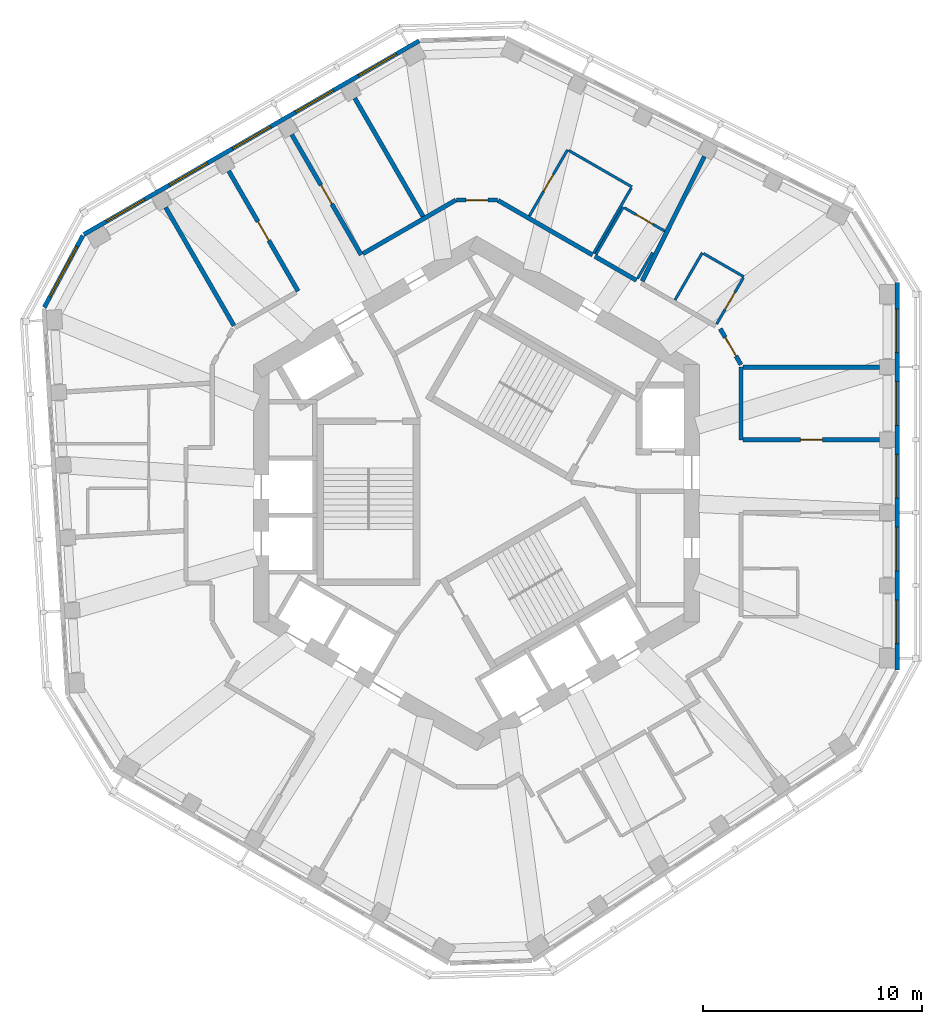
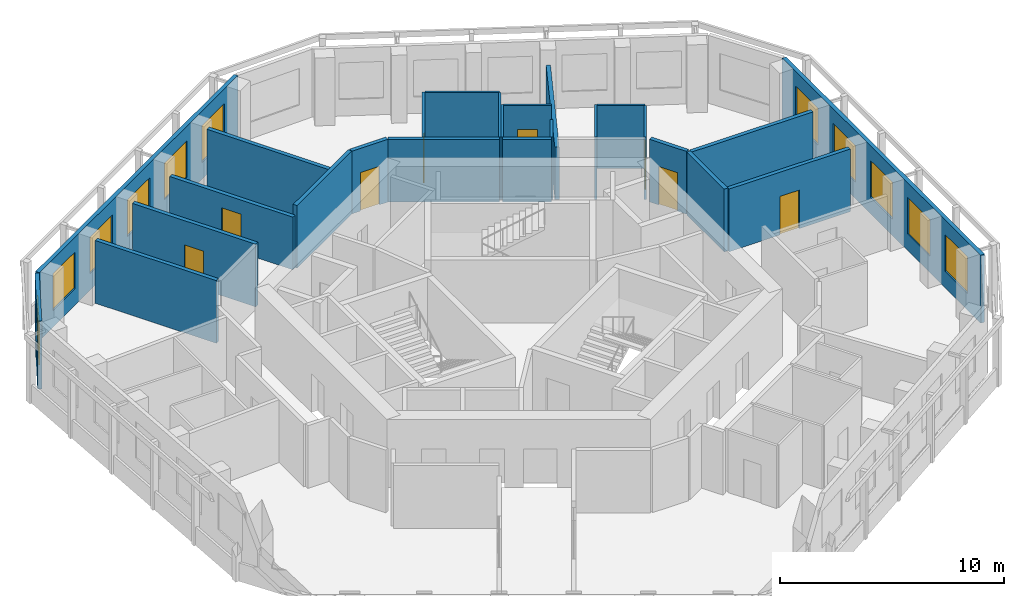
# One storey, part 7 of 11: 25 walls, 11 windows, 8 doors, 19 openings.
"""IFC4 building model written with IfcOpenShell, lengths in metres."""

from ifc_helpers import new_model, si_unit, direction, frame, frame_2d, origin, place, context, subcontext, project, spatial, rectangle, extrude, material, layer, layer_set, type_object, element, fill, save


model = new_model("IFC4")

# Units and contexts
model_context = context("Model", 3, precision=1e-05, world=origin(), true_north=direction((0.0, 1.0)))
body_context = subcontext(model_context, "Body", "Model", "MODEL_VIEW")
ifc_project = project(units=[si_unit("LENGTHUNIT", "METRE"), si_unit("AREAUNIT", "SQUARE_METRE"), si_unit("VOLUMEUNIT", "CUBIC_METRE"), si_unit("PLANEANGLEUNIT", "RADIAN"), si_unit("MASSUNIT", "GRAM", prefix="KILO")], contexts=[model_context])

# Site, building, storey
site_placement = place(None, origin())
site = spatial("IfcSite", under=ifc_project, at=site_placement, CompositionType="ELEMENT")
building_placement = place(site_placement, origin())
building = spatial("IfcBuilding", under=site, at=building_placement, Name="Vanh Sen Convention Tower", CompositionType="ELEMENT")
storey_placement = place(building_placement, frame((0.0, 0.0, 293.10009765625)))
storey = spatial("IfcBuildingStorey", under=building, at=storey_placement, Name="L72", CompositionType="ELEMENT", Elevation=293.10009765625)

# Wall, opening, door
ifc_material_1 = material(Name="Moisture-resistant gypsum board on steel studs", Category="steel")
ifc_layer_1 = layer(ifc_material_1, 0.1201171875)
ifc_layer_set_1 = layer_set([ifc_layer_1], Name="Moisture-resistant gypsum board on steel studs")
wall_type_1 = type_object("IfcWallType", Name="Bathroom partition 120", PredefinedType="PARTITIONING", material=ifc_layer_set_1)
wall_1_placement = place(storey_placement, frame((2.4130859375, 12.694091796875, 0.0), z_axis=(0.0, 0.0, 1.0), x_axis=(0.500010275428, 0.866019471182, 0.0)))
wall_1 = element("IfcWall", 1, at=wall_1_placement, inside=storey, type_object=wall_type_1, Name="Bathroom partition 120", PredefinedType="PARTITIONING", context=body_context, shape_type="SweptSolid", body=[
    extrude(rectangle(XDim=3.5, YDim=0.1201171875, at=frame_2d((1.75, 0.0))), origin(), (0.0, 0.0, 1.0), 3.419921875),
])
opening_1_placement = place(wall_1_placement, frame((1.300048828125, 0.0, 0.0)))
opening_1 = element("IfcOpeningElement", 2, at=opening_1_placement, cuts=wall_1, Name="Opening D72106", PredefinedType="OPENING", context=body_context, shape_type="SweptSolid", body=[
    extrude(rectangle(XDim=0.89990234375, YDim=2.10009765625, at=frame_2d((0.449951171875, 1.050048828125))), frame((0.0, 0.070068359375, 0.0), z_axis=(0.0, -1.0, 0.0), x_axis=(1.0, 0.0, 0.0)), (0.0, 0.0, 1.0), 0.14013671875),
])
ifc_material_2 = material(Name="Laminate door in steel frame", Category="steel")
door_type_1 = type_object("IfcDoorType", Name="Room internal door 900", OperationType="SINGLE_SWING_LEFT", PredefinedType="DOOR", material=ifc_material_2)
door_1_placement = place(opening_1_placement, origin())
door_1 = element("IfcDoor", 3, at=door_1_placement, inside=storey, type_object=door_type_1, Name="Internal room door D72106", OperationType="SINGLE_SWING_LEFT", OverallHeight=2.10009765625, OverallWidth=0.89990234375, PredefinedType="DOOR", context=body_context, shape_type="SweptSolid", body=[
    extrude(rectangle(XDim=0.89990234375, YDim=2.10009765625, at=frame_2d((0.449951171875, 1.050048828125))), frame((0.0, 0.02490234375, 0.0), z_axis=(0.0, -1.0, 0.0), x_axis=(1.0, 0.0, 0.0)), (0.0, 0.0, 1.0), 0.050048828125),
])
fill(opening_1, door_1)

# Walls
wall_2_placement = place(storey_placement, frame((4.215087890625, 15.6953125, 0.0), z_axis=(0.0, 0.0, 1.0), x_axis=(0.865989591418, -0.50006202371, 0.0)))
element("IfcWall", 4, at=wall_2_placement, inside=storey, type_object=wall_type_1, Name="Bathroom partition 120", PredefinedType="PARTITIONING", context=body_context, shape_type="SweptSolid", body=[
    extrude(rectangle(XDim=3.33984375, YDim=0.1201171875, at=frame_2d((1.669921875, 0.0))), origin(), (0.0, 0.0, 1.0), 3.419921875),
])
wall_3_placement = place(storey_placement, frame((5.46142578125, 10.93408203125, 0.0), z_axis=(0.0, 0.0, 1.0), x_axis=(0.500004234368, 0.866022959057, 0.0)))
element("IfcWall", 5, at=wall_3_placement, inside=storey, type_object=wall_type_1, Name="Bathroom partition 120", PredefinedType="PARTITIONING", context=body_context, shape_type="SweptSolid", body=[
    extrude(rectangle(XDim=2.5, YDim=0.1201171875, at=frame_2d((1.25, 0.0))), origin(), (0.0, 0.0, 1.0), 3.419921875),
])

# Wall, opening, door
wall_4_placement = place(storey_placement, frame((6.763427734375, 13.069091796875, 0.0), z_axis=(0.0, 0.0, 1.0), x_axis=(0.866019511163, -0.500010206181, 0.0)))
wall_4 = element("IfcWall", 6, at=wall_4_placement, inside=storey, type_object=wall_type_1, Name="Bathroom partition 120", PredefinedType="PARTITIONING", context=body_context, shape_type="SweptSolid", body=[
    extrude(rectangle(XDim=2.1298828125, YDim=0.1201171875, at=frame_2d((1.06494140625, 0.0))), origin(), (0.0, 0.0, 1.0), 3.419921875),
])
opening_2_placement = place(wall_4_placement, frame((0.614990234375, 0.0, 0.0)))
opening_2 = element("IfcOpeningElement", 7, at=opening_2_placement, cuts=wall_4, Name="Opening D72105", PredefinedType="OPENING", context=body_context, shape_type="SweptSolid", body=[
    extrude(rectangle(XDim=0.89990234375, YDim=2.10009765625, at=frame_2d((0.449951171875, 1.050048828125))), frame((0.0, 0.070068359375, 0.0), z_axis=(0.0, -1.0, 0.0), x_axis=(1.0, 0.0, 0.0)), (0.0, 0.0, 1.0), 0.14013671875),
])
door_2_placement = place(opening_2_placement, origin())
door_2 = element("IfcDoor", 8, at=door_2_placement, inside=storey, type_object=door_type_1, Name="Internal room door D72105", OperationType="SINGLE_SWING_LEFT", OverallHeight=2.10009765625, OverallWidth=0.89990234375, PredefinedType="DOOR", context=body_context, shape_type="SweptSolid", body=[
    extrude(rectangle(XDim=0.89990234375, YDim=2.10009765625, at=frame_2d((0.449951171875, 1.050048828125))), frame((0.0, 0.02490234375, 0.0), z_axis=(0.0, -1.0, 0.0), x_axis=(1.0, 0.0, 0.0)), (0.0, 0.0, 1.0), 0.050048828125),
])
fill(opening_2, door_2)

# Walls
wall_5_placement = place(storey_placement, frame((7.077392578125, 13.97314453125, 0.0), z_axis=(0.0, 0.0, 1.0), x_axis=(-0.499955923987, -0.866050849587, 0.0)))
element("IfcWall", 9, at=wall_5_placement, inside=storey, type_object=wall_type_1, Name="Bathroom partition 120", PredefinedType="PARTITIONING", context=body_context, shape_type="SweptSolid", body=[
    extrude(rectangle(XDim=3.439697265625, YDim=0.1201171875, at=frame_2d((1.7197265625, 0.0))), origin(), (0.0, 0.0, 1.0), 3.419921875),
])
wall_6_placement = place(storey_placement, frame((8.05078125, 11.018798828125, 0.0), z_axis=(0.0, 0.0, 1.0), x_axis=(-0.500093228334, -0.86597157169, 0.0)))
element("IfcWall", 10, at=wall_6_placement, inside=storey, type_object=wall_type_1, Name="Bathroom partition 120", PredefinedType="PARTITIONING", context=body_context, shape_type="SweptSolid", body=[
    extrude(rectangle(XDim=1.367919921875, YDim=0.1201171875, at=frame_2d((0.68408203125, 0.0))), origin(), (0.0, 0.0, 1.0), 3.419921875),
])
wall_7_placement = place(storey_placement, frame((9.078125, 8.845947265625, 0.0), z_axis=(0.0, 0.0, 1.0), x_axis=(0.500004234368, 0.866022959057, 0.0)))
element("IfcWall", 11, at=wall_7_placement, inside=storey, type_object=wall_type_1, Name="Bathroom partition 120", PredefinedType="PARTITIONING", context=body_context, shape_type="SweptSolid", body=[
    extrude(rectangle(XDim=2.5, YDim=0.1201171875, at=frame_2d((1.25, 0.0))), origin(), (0.0, 0.0, 1.0), 3.419921875),
])
wall_8_placement = place(storey_placement, frame((10.380126953125, 10.981201171875, 0.0), z_axis=(0.0, 0.0, 1.0), x_axis=(0.86600889856, -0.500028586798, 0.0)))
element("IfcWall", 12, at=wall_8_placement, inside=storey, type_object=wall_type_1, Name="Bathroom partition 120", PredefinedType="PARTITIONING", context=body_context, shape_type="SweptSolid", body=[
    extrude(rectangle(XDim=2.139892578125, YDim=0.1201171875, at=frame_2d((1.06982421875, 0.0))), origin(), (0.0, 0.0, 1.0), 3.419921875),
])

# Wall, opening, door
wall_9_placement = place(storey_placement, frame((12.20361328125, 9.859130859375, 0.0), z_axis=(0.0, 0.0, 1.0), x_axis=(-0.500077547548, -0.865980627057, 0.0)))
wall_9 = element("IfcWall", 13, at=wall_9_placement, inside=storey, type_object=wall_type_1, Name="Bathroom partition 120", PredefinedType="PARTITIONING", context=body_context, shape_type="SweptSolid", body=[
    extrude(rectangle(XDim=2.43994140625, YDim=0.1201171875, at=frame_2d((1.219970703125, 0.0))), origin(), (0.0, 0.0, 1.0), 3.419921875),
])
opening_3_placement = place(wall_9_placement, frame((0.77001953125, 0.0, 0.0)))
opening_3 = element("IfcOpeningElement", 14, at=opening_3_placement, cuts=wall_9, Name="Opening D72103", PredefinedType="OPENING", context=body_context, shape_type="SweptSolid", body=[
    extrude(rectangle(XDim=0.89990234375, YDim=2.10009765625, at=frame_2d((0.449951171875, 1.050048828125))), frame((0.0, 0.070068359375, 0.0), z_axis=(0.0, -1.0, 0.0), x_axis=(1.0, 0.0, 0.0)), (0.0, 0.0, 1.0), 0.14013671875),
])
door_3_placement = place(opening_3_placement, origin())
door_3 = element("IfcDoor", 15, at=door_3_placement, inside=storey, type_object=door_type_1, Name="Internal room door D72103", OperationType="SINGLE_SWING_LEFT", OverallHeight=2.10009765625, OverallWidth=0.89990234375, PredefinedType="DOOR", context=body_context, shape_type="SweptSolid", body=[
    extrude(rectangle(XDim=0.89990234375, YDim=2.10009765625, at=frame_2d((0.449951171875, 1.050048828125))), frame((0.0, 0.02490234375, 0.0), z_axis=(0.0, -1.0, 0.0), x_axis=(1.0, 0.0, 0.0)), (0.0, 0.0, 1.0), 0.050048828125),
])
fill(opening_3, door_3)

ifc_material_3 = material(Name="Gypsum board on steel studs with mineral wool", Category="steel")
ifc_layer_2 = layer(ifc_material_3, 0.199951171875)
ifc_layer_set_2 = layer_set([ifc_layer_2], Name="Gypsum board on steel studs with mineral wool")
wall_type_2 = type_object("IfcWallType", Name="Corridor partition wall 200", PredefinedType="PARTITIONING", material=ifc_layer_set_2)
wall_10_placement = place(storey_placement, frame((-11.34521484375, 14.754150390625, 0.0), z_axis=(0.0, 0.0, 1.0), x_axis=(0.500005339912, -0.866022320763, 0.0)))
wall_10 = element("IfcWall", 16, at=wall_10_placement, inside=storey, type_object=wall_type_2, Name="Corridor partition wall 200", PredefinedType="PARTITIONING", context=body_context, shape_type="SweptSolid", body=[
    extrude(rectangle(XDim=6.35009765625, YDim=0.199951171875, at=frame_2d((3.175048828125, 0.0))), origin(), (0.0, 0.0, 1.0), 3.419921875),
])
opening_4_placement = place(wall_10_placement, frame((2.675048828125, 0.0, 0.0)))
opening_4 = element("IfcOpeningElement", 17, at=opening_4_placement, cuts=wall_10, Name="Opening D72108", PredefinedType="OPENING", context=body_context, shape_type="SweptSolid", body=[
    extrude(rectangle(XDim=1.0, YDim=2.10009765625, at=frame_2d((0.5, 1.050048828125))), frame((0.0, 0.10986328125, 0.0), z_axis=(0.0, -1.0, 0.0), x_axis=(1.0, 0.0, 0.0)), (0.0, 0.0, 1.0), 0.219970703125),
])
ifc_material_4 = material(Name="Glazed fire door in steel frame", Category="steel")
door_type_2 = type_object("IfcDoorType", Name="Tenant entrance door 1000", OperationType="SINGLE_SWING_LEFT", PredefinedType="DOOR", material=ifc_material_4)
door_4_placement = place(opening_4_placement, origin())
door_4 = element("IfcDoor", 18, at=door_4_placement, inside=storey, type_object=door_type_2, Name="Tenant suite entrance door D72108", OperationType="SINGLE_SWING_LEFT", OverallHeight=2.10009765625, OverallWidth=1.0, PredefinedType="DOOR", context=body_context, shape_type="SweptSolid", body=[
    extrude(rectangle(XDim=1.0, YDim=2.10009765625, at=frame_2d((0.5, 1.050048828125))), frame((0.0, 0.02490234375, 0.0), z_axis=(0.0, -1.0, 0.0), x_axis=(1.0, 0.0, 0.0)), (0.0, 0.0, 1.0), 0.050048828125),
])
fill(opening_4, door_4)

wall_11_placement = place(storey_placement, frame((-8.4599609375, 16.419921875, 0.0), z_axis=(0.0, 0.0, 1.0), x_axis=(0.500005339912, -0.866022320763, 0.0)))
wall_11 = element("IfcWall", 19, at=wall_11_placement, inside=storey, type_object=wall_type_2, Name="Corridor partition wall 200", PredefinedType="PARTITIONING", context=body_context, shape_type="SweptSolid", body=[
    extrude(rectangle(XDim=6.35009765625, YDim=0.199951171875, at=frame_2d((3.175048828125, 0.0))), origin(), (0.0, 0.0, 1.0), 2.869873046875),
])
opening_5_placement = place(wall_11_placement, frame((2.675048828125, 0.0, 0.0)))
opening_5 = element("IfcOpeningElement", 20, at=opening_5_placement, cuts=wall_11, Name="Opening D72107", PredefinedType="OPENING", context=body_context, shape_type="SweptSolid", body=[
    extrude(rectangle(XDim=1.0, YDim=2.10009765625, at=frame_2d((0.5, 1.050048828125))), frame((0.0, 0.10986328125, 0.0), z_axis=(0.0, -1.0, 0.0), x_axis=(1.0, 0.0, 0.0)), (0.0, 0.0, 1.0), 0.219970703125),
])
door_5_placement = place(opening_5_placement, origin())
door_5 = element("IfcDoor", 21, at=door_5_placement, inside=storey, type_object=door_type_2, Name="Tenant suite entrance door D72107", OperationType="SINGLE_SWING_LEFT", OverallHeight=2.10009765625, OverallWidth=1.0, PredefinedType="DOOR", context=body_context, shape_type="SweptSolid", body=[
    extrude(rectangle(XDim=1.0, YDim=2.10009765625, at=frame_2d((0.5, 1.050048828125))), frame((0.0, 0.02490234375, 0.0), z_axis=(0.0, -1.0, 0.0), x_axis=(1.0, 0.0, 0.0)), (0.0, 0.0, 1.0), 0.050048828125),
])
fill(opening_5, door_5)

# Wall
wall_12_placement = place(storey_placement, frame((-0.949951171875, 13.42333984375, 0.0), z_axis=(0.0, 0.0, 1.0), x_axis=(-0.86603557629, -0.499982380289, 0.0)))
element("IfcWall", 22, at=wall_12_placement, inside=storey, type_object=wall_type_2, Name="Corridor partition wall 200", PredefinedType="PARTITIONING", context=body_context, shape_type="SweptSolid", body=[
    extrude(rectangle(XDim=4.905517578125, YDim=0.199951171875, at=frame_2d((2.45263671875, 0.0))), origin(), (0.0, 0.0, 1.0), 3.419921875),
])

# Wall, opening, door
wall_13_placement = place(storey_placement, frame((0.949951171875, 13.42333984375, 0.0), z_axis=(0.0, 0.0, 1.0), x_axis=(-1.0, 0.0, 0.0)))
wall_13 = element("IfcWall", 23, at=wall_13_placement, inside=storey, type_object=wall_type_2, Name="Corridor partition wall 200", PredefinedType="PARTITIONING", context=body_context, shape_type="SweptSolid", body=[
    extrude(rectangle(XDim=1.85986328125, YDim=0.199951171875, at=frame_2d((0.929931640625, 0.0))), origin(), (0.0, 0.0, 1.0), 3.419921875),
])
opening_6_placement = place(wall_13_placement, frame((0.429931640625, 0.0, 0.0)))
opening_6 = element("IfcOpeningElement", 24, at=opening_6_placement, cuts=wall_13, Name="Opening D72104", PredefinedType="OPENING", context=body_context, shape_type="SweptSolid", body=[
    extrude(rectangle(XDim=1.0, YDim=2.10009765625, at=frame_2d((0.5, 1.050048828125))), frame((0.0, 0.10986328125, 0.0), z_axis=(0.0, -1.0, 0.0), x_axis=(1.0, 0.0, 0.0)), (0.0, 0.0, 1.0), 0.219970703125),
])
door_6_placement = place(opening_6_placement, origin())
door_6 = element("IfcDoor", 25, at=door_6_placement, inside=storey, type_object=door_type_2, Name="Tenant suite entrance door D72104", OperationType="SINGLE_SWING_LEFT", OverallHeight=2.10009765625, OverallWidth=1.0, PredefinedType="DOOR", context=body_context, shape_type="SweptSolid", body=[
    extrude(rectangle(XDim=1.0, YDim=2.10009765625, at=frame_2d((0.5, 1.050048828125))), frame((0.0, 0.02490234375, 0.0), z_axis=(0.0, -1.0, 0.0), x_axis=(1.0, 0.0, 0.0)), (0.0, 0.0, 1.0), 0.050048828125),
])
fill(opening_6, door_6)

# Walls
wall_14_placement = place(storey_placement, frame((5.3076171875, 10.907470703125, 0.0), z_axis=(0.0, 0.0, 1.0), x_axis=(-0.866028394472, 0.499994819941, 0.0)))
element("IfcWall", 26, at=wall_14_placement, inside=storey, type_object=wall_type_2, Name="Corridor partition wall 200", PredefinedType="PARTITIONING", context=body_context, shape_type="SweptSolid", body=[
    extrude(rectangle(XDim=4.99169921875, YDim=0.199951171875, at=frame_2d((2.495849609375, 0.0))), origin(), (0.0, 0.0, 1.0), 3.419921875),
])
wall_15_placement = place(storey_placement, frame((7.316650390625, 9.74755859375, 0.0), z_axis=(0.0, 0.0, 1.0), x_axis=(-0.866028486751, 0.499994660107, 0.0)))
element("IfcWall", 27, at=wall_15_placement, inside=storey, type_object=wall_type_2, Name="Corridor partition wall 200", PredefinedType="PARTITIONING", context=body_context, shape_type="SweptSolid", body=[
    extrude(rectangle(XDim=2.19970703125, YDim=0.199951171875, at=frame_2d((1.099853515625, 0.0))), origin(), (0.0, 0.0, 1.0), 3.419921875),
])
wall_16_placement = place(storey_placement, frame((12.10009765625, 2.4482421875, 0.0), z_axis=(0.0, 0.0, 1.0), x_axis=(0.0, 1.0, 0.0)))
element("IfcWall", 28, at=wall_16_placement, inside=storey, type_object=wall_type_2, Name="Corridor partition wall 200", PredefinedType="PARTITIONING", context=body_context, shape_type="SweptSolid", body=[
    extrude(rectangle(XDim=3.33154296875, YDim=0.199951171875, at=frame_2d((1.665771484375, 0.0))), origin(), (0.0, 0.0, 1.0), 3.419921875),
])

# Wall, opening, door
wall_17_placement = place(storey_placement, frame((12.10009765625, 5.888916015625, 0.0), z_axis=(0.0, 0.0, 1.0), x_axis=(-0.500063520245, 0.865988727248, 0.0)))
wall_17 = element("IfcWall", 29, at=wall_17_placement, inside=storey, type_object=wall_type_2, Name="Corridor partition wall 200", PredefinedType="PARTITIONING", context=body_context, shape_type="SweptSolid", body=[
    extrude(rectangle(XDim=1.900146484375, YDim=0.199951171875, at=frame_2d((0.9501953125, 0.0))), origin(), (0.0, 0.0, 1.0), 3.419921875),
])
opening_7_placement = place(wall_17_placement, frame((0.449951171875, 0.0, 0.0)))
opening_7 = element("IfcOpeningElement", 30, at=opening_7_placement, cuts=wall_17, Name="Opening D72102", PredefinedType="OPENING", context=body_context, shape_type="SweptSolid", body=[
    extrude(rectangle(XDim=1.0, YDim=2.10009765625, at=frame_2d((0.5, 1.050048828125))), frame((0.0, 0.10986328125, 0.0), z_axis=(0.0, -1.0, 0.0), x_axis=(1.0, 0.0, 0.0)), (0.0, 0.0, 1.0), 0.219970703125),
])
door_7_placement = place(opening_7_placement, origin())
door_7 = element("IfcDoor", 31, at=door_7_placement, inside=storey, type_object=door_type_2, Name="Tenant suite entrance door D72102", OperationType="SINGLE_SWING_LEFT", OverallHeight=2.10009765625, OverallWidth=1.0, PredefinedType="DOOR", context=body_context, shape_type="SweptSolid", body=[
    extrude(rectangle(XDim=1.0, YDim=2.10009765625, at=frame_2d((0.5, 1.050048828125))), frame((0.0, 0.02490234375, 0.0), z_axis=(0.0, -1.0, 0.0), x_axis=(1.0, 0.0, 0.0)), (0.0, 0.0, 1.0), 0.050048828125),
])
fill(opening_7, door_7)

wall_18_placement = place(storey_placement, frame((18.449951171875, 2.4482421875, 0.0), z_axis=(0.0, 0.0, 1.0), x_axis=(-1.0, 0.0, 0.0)))
wall_18 = element("IfcWall", 32, at=wall_18_placement, inside=storey, type_object=wall_type_2, Name="Corridor partition wall 200", PredefinedType="PARTITIONING", context=body_context, shape_type="SweptSolid", body=[
    extrude(rectangle(XDim=6.25, YDim=0.199951171875, at=frame_2d((3.125, 0.0))), origin(), (0.0, 0.0, 1.0), 3.419921875),
])
opening_8_placement = place(wall_18_placement, frame((2.625, 0.0, 0.0)))
opening_8 = element("IfcOpeningElement", 33, at=opening_8_placement, cuts=wall_18, Name="Opening D72101", PredefinedType="OPENING", context=body_context, shape_type="SweptSolid", body=[
    extrude(rectangle(XDim=1.0, YDim=2.10009765625, at=frame_2d((0.5, 1.050048828125))), frame((0.0, 0.10986328125, 0.0), z_axis=(0.0, -1.0, 0.0), x_axis=(1.0, 0.0, 0.0)), (0.0, 0.0, 1.0), 0.219970703125),
])
door_8_placement = place(opening_8_placement, origin())
door_8 = element("IfcDoor", 34, at=door_8_placement, inside=storey, type_object=door_type_2, Name="Tenant suite entrance door D72101", OperationType="SINGLE_SWING_LEFT", OverallHeight=2.10009765625, OverallWidth=1.0, PredefinedType="DOOR", context=body_context, shape_type="SweptSolid", body=[
    extrude(rectangle(XDim=1.0, YDim=2.10009765625, at=frame_2d((0.5, 1.050048828125))), frame((0.0, 0.02490234375, 0.0), z_axis=(0.0, -1.0, 0.0), x_axis=(1.0, 0.0, 0.0)), (0.0, 0.0, 1.0), 0.050048828125),
])
fill(opening_8, door_8)

# Wall, openings, windows
ifc_material_5 = material(Name="Insulated lightweight infill wall")
ifc_layer_3 = layer(ifc_material_5, 0.199951171875)
ifc_layer_set_3 = layer_set([ifc_layer_3], Name="Insulated lightweight infill wall")
wall_type_3 = type_object("IfcWallType", Name="External wall 200", PredefinedType="STANDARD", material=ifc_layer_set_3)
wall_19_placement = place(storey_placement, frame((19.25, -8.083984375, 0.0), z_axis=(0.0, 0.0, 1.0), x_axis=(0.0, 1.0, 0.0)))
wall_19 = element("IfcWall", 35, at=wall_19_placement, inside=storey, type_object=wall_type_3, Name="External wall E L72", PredefinedType="STANDARD", context=body_context, shape_type="SweptSolid", body=[
    extrude(rectangle(XDim=17.731201171875, YDim=0.199951171875, at=frame_2d((8.86572265625, 0.0))), origin(), (0.0, 0.0, 1.0), 3.699951171875),
])
opening_9_placement = place(wall_19_placement, frame((1.203125, 0.0, 0.89990234375)))
opening_9 = element("IfcOpeningElement", 36, at=opening_9_placement, cuts=wall_19, Name="Opening WO5-E1", PredefinedType="OPENING", context=body_context, shape_type="SweptSolid", body=[
    extrude(rectangle(XDim=2.0, YDim=2.0, at=frame_2d((1.0, 1.0))), frame((0.0, 0.10986328125, 0.0), z_axis=(0.0, -1.0, 0.0), x_axis=(1.0, 0.0, 0.0)), (0.0, 0.0, 1.0), 0.219970703125),
])
opening_10_placement = place(wall_19_placement, frame((4.534912109375, 0.0, 0.89990234375)))
opening_10 = element("IfcOpeningElement", 37, at=opening_10_placement, cuts=wall_19, Name="Opening WO5-E2", PredefinedType="OPENING", context=body_context, shape_type="SweptSolid", body=[
    extrude(rectangle(XDim=2.0, YDim=2.0, at=frame_2d((1.0, 1.0))), frame((0.0, 0.10986328125, 0.0), z_axis=(0.0, -1.0, 0.0), x_axis=(1.0, 0.0, 0.0)), (0.0, 0.0, 1.0), 0.219970703125),
])
opening_11_placement = place(wall_19_placement, frame((7.866455078125, 0.0, 0.89990234375)))
opening_11 = element("IfcOpeningElement", 38, at=opening_11_placement, cuts=wall_19, Name="Opening WO5-E3", PredefinedType="OPENING", context=body_context, shape_type="SweptSolid", body=[
    extrude(rectangle(XDim=2.0, YDim=2.0, at=frame_2d((1.0, 1.0))), frame((0.0, 0.10986328125, 0.0), z_axis=(0.0, -1.0, 0.0), x_axis=(1.0, 0.0, 0.0)), (0.0, 0.0, 1.0), 0.219970703125),
])
opening_12_placement = place(wall_19_placement, frame((11.197998046875, 0.0, 0.89990234375)))
opening_12 = element("IfcOpeningElement", 39, at=opening_12_placement, cuts=wall_19, Name="Opening WO5-E4", PredefinedType="OPENING", context=body_context, shape_type="SweptSolid", body=[
    extrude(rectangle(XDim=2.0, YDim=2.0, at=frame_2d((1.0, 1.0))), frame((0.0, 0.10986328125, 0.0), z_axis=(0.0, -1.0, 0.0), x_axis=(1.0, 0.0, 0.0)), (0.0, 0.0, 1.0), 0.219970703125),
])
opening_13_placement = place(wall_19_placement, frame((14.52978515625, 0.0, 0.89990234375)))
opening_13 = element("IfcOpeningElement", 40, at=opening_13_placement, cuts=wall_19, Name="Opening WO5-E5", PredefinedType="OPENING", context=body_context, shape_type="SweptSolid", body=[
    extrude(rectangle(XDim=2.0, YDim=2.0, at=frame_2d((1.0, 1.0))), frame((0.0, 0.10986328125, 0.0), z_axis=(0.0, -1.0, 0.0), x_axis=(1.0, 0.0, 0.0)), (0.0, 0.0, 1.0), 0.219970703125),
])
ifc_material_6 = material(Name="Aluminium frame with clear low-emissivity glass", Category="aluminium")
window_type_1 = type_object("IfcWindowType", Name="Office window 2000 x 2000", PartitioningType="SINGLE_PANEL", PredefinedType="WINDOW", material=ifc_material_6)
window_1_placement = place(opening_9_placement, origin())
window_1 = element("IfcWindow", 41, at=window_1_placement, inside=storey, type_object=window_type_1, Name="Window WO5-E1", OverallHeight=2.0, OverallWidth=2.0, PartitioningType="SINGLE_PANEL", PredefinedType="WINDOW", context=body_context, shape_type="SweptSolid", body=[
    extrude(rectangle(XDim=2.0, YDim=2.0, at=frame_2d((1.0, 1.0))), frame((0.0, 0.030029296875, 0.0), z_axis=(0.0, -1.0, 0.0), x_axis=(1.0, 0.0, 0.0)), (0.0, 0.0, 1.0), 0.06005859375),
])
fill(opening_9, window_1)
window_2_placement = place(opening_10_placement, origin())
window_2 = element("IfcWindow", 42, at=window_2_placement, inside=storey, type_object=window_type_1, Name="Window WO5-E2", OverallHeight=2.0, OverallWidth=2.0, PartitioningType="SINGLE_PANEL", PredefinedType="WINDOW", context=body_context, shape_type="SweptSolid", body=[
    extrude(rectangle(XDim=2.0, YDim=2.0, at=frame_2d((1.0, 1.0))), frame((0.0, 0.030029296875, 0.0), z_axis=(0.0, -1.0, 0.0), x_axis=(1.0, 0.0, 0.0)), (0.0, 0.0, 1.0), 0.06005859375),
])
fill(opening_10, window_2)
window_3_placement = place(opening_11_placement, origin())
window_3 = element("IfcWindow", 43, at=window_3_placement, inside=storey, type_object=window_type_1, Name="Window WO5-E3", OverallHeight=2.0, OverallWidth=2.0, PartitioningType="SINGLE_PANEL", PredefinedType="WINDOW", context=body_context, shape_type="SweptSolid", body=[
    extrude(rectangle(XDim=2.0, YDim=2.0, at=frame_2d((1.0, 1.0))), frame((0.0, 0.030029296875, 0.0), z_axis=(0.0, -1.0, 0.0), x_axis=(1.0, 0.0, 0.0)), (0.0, 0.0, 1.0), 0.06005859375),
])
fill(opening_11, window_3)
window_4_placement = place(opening_12_placement, origin())
window_4 = element("IfcWindow", 44, at=window_4_placement, inside=storey, type_object=window_type_1, Name="Window WO5-E4", OverallHeight=2.0, OverallWidth=2.0, PartitioningType="SINGLE_PANEL", PredefinedType="WINDOW", context=body_context, shape_type="SweptSolid", body=[
    extrude(rectangle(XDim=2.0, YDim=2.0, at=frame_2d((1.0, 1.0))), frame((0.0, 0.030029296875, 0.0), z_axis=(0.0, -1.0, 0.0), x_axis=(1.0, 0.0, 0.0)), (0.0, 0.0, 1.0), 0.06005859375),
])
fill(opening_12, window_4)
window_5_placement = place(opening_13_placement, origin())
window_5 = element("IfcWindow", 45, at=window_5_placement, inside=storey, type_object=window_type_1, Name="Window WO5-E5", OverallHeight=2.0, OverallWidth=2.0, PartitioningType="SINGLE_PANEL", PredefinedType="WINDOW", context=body_context, shape_type="SweptSolid", body=[
    extrude(rectangle(XDim=2.0, YDim=2.0, at=frame_2d((1.0, 1.0))), frame((0.0, 0.030029296875, 0.0), z_axis=(0.0, -1.0, 0.0), x_axis=(1.0, 0.0, 0.0)), (0.0, 0.0, 1.0), 0.06005859375),
])
fill(opening_13, window_5)

wall_20_placement = place(storey_placement, frame((-2.623779296875, 20.713134765625, 0.0), z_axis=(0.0, 0.0, 1.0), x_axis=(-0.866026460444, -0.499998169808, 0.0)))
wall_20 = element("IfcWall", 46, at=wall_20_placement, inside=storey, type_object=wall_type_3, Name="External wall NW L72", PredefinedType="STANDARD", context=body_context, shape_type="SweptSolid", body=[
    extrude(rectangle(XDim=17.7314453125, YDim=0.199951171875, at=frame_2d((8.86572265625, 0.0))), origin(), (0.0, 0.0, 1.0), 3.699951171875),
])
opening_14_placement = place(wall_20_placement, frame((1.203125, 0.0, 0.89990234375)))
opening_14 = element("IfcOpeningElement", 47, at=opening_14_placement, cuts=wall_20, Name="Opening WO5-NW1", PredefinedType="OPENING", context=body_context, shape_type="SweptSolid", body=[
    extrude(rectangle(XDim=2.0, YDim=2.0, at=frame_2d((1.0, 1.0))), frame((0.0, 0.10986328125, 0.0), z_axis=(0.0, -1.0, 0.0), x_axis=(1.0, 0.0, 0.0)), (0.0, 0.0, 1.0), 0.219970703125),
])
opening_15_placement = place(wall_20_placement, frame((4.534912109375, 0.0, 0.89990234375)))
opening_15 = element("IfcOpeningElement", 48, at=opening_15_placement, cuts=wall_20, Name="Opening WO5-NW2", PredefinedType="OPENING", context=body_context, shape_type="SweptSolid", body=[
    extrude(rectangle(XDim=2.0, YDim=2.0, at=frame_2d((1.0, 1.0))), frame((0.0, 0.10986328125, 0.0), z_axis=(0.0, -1.0, 0.0), x_axis=(1.0, 0.0, 0.0)), (0.0, 0.0, 1.0), 0.219970703125),
])
opening_16_placement = place(wall_20_placement, frame((7.86669921875, 0.0, 0.89990234375)))
opening_16 = element("IfcOpeningElement", 49, at=opening_16_placement, cuts=wall_20, Name="Opening WO5-NW3", PredefinedType="OPENING", context=body_context, shape_type="SweptSolid", body=[
    extrude(rectangle(XDim=2.0, YDim=2.0, at=frame_2d((1.0, 1.0))), frame((0.0, 0.10986328125, 0.0), z_axis=(0.0, -1.0, 0.0), x_axis=(1.0, 0.0, 0.0)), (0.0, 0.0, 1.0), 0.219970703125),
])
opening_17_placement = place(wall_20_placement, frame((11.1982421875, 0.0, 0.89990234375)))
opening_17 = element("IfcOpeningElement", 50, at=opening_17_placement, cuts=wall_20, Name="Opening WO5-NW4", PredefinedType="OPENING", context=body_context, shape_type="SweptSolid", body=[
    extrude(rectangle(XDim=2.0, YDim=2.0, at=frame_2d((1.0, 1.0))), frame((0.0, 0.10986328125, 0.0), z_axis=(0.0, -1.0, 0.0), x_axis=(1.0, 0.0, 0.0)), (0.0, 0.0, 1.0), 0.219970703125),
])
opening_18_placement = place(wall_20_placement, frame((14.52978515625, 0.0, 0.89990234375)))
opening_18 = element("IfcOpeningElement", 51, at=opening_18_placement, cuts=wall_20, Name="Opening WO5-NW5", PredefinedType="OPENING", context=body_context, shape_type="SweptSolid", body=[
    extrude(rectangle(XDim=2.0, YDim=2.0, at=frame_2d((1.0, 1.0))), frame((0.0, 0.10986328125, 0.0), z_axis=(0.0, -1.0, 0.0), x_axis=(1.0, 0.0, 0.0)), (0.0, 0.0, 1.0), 0.219970703125),
])
window_6_placement = place(opening_14_placement, origin())
window_6 = element("IfcWindow", 52, at=window_6_placement, inside=storey, type_object=window_type_1, Name="Window WO5-NW1", OverallHeight=2.0, OverallWidth=2.0, PartitioningType="SINGLE_PANEL", PredefinedType="WINDOW", context=body_context, shape_type="SweptSolid", body=[
    extrude(rectangle(XDim=2.0, YDim=2.0, at=frame_2d((1.0, 1.0))), frame((0.0, 0.030029296875, 0.0), z_axis=(0.0, -1.0, 0.0), x_axis=(1.0, 0.0, 0.0)), (0.0, 0.0, 1.0), 0.06005859375),
])
fill(opening_14, window_6)
window_7_placement = place(opening_15_placement, origin())
window_7 = element("IfcWindow", 53, at=window_7_placement, inside=storey, type_object=window_type_1, Name="Window WO5-NW2", OverallHeight=2.0, OverallWidth=2.0, PartitioningType="SINGLE_PANEL", PredefinedType="WINDOW", context=body_context, shape_type="SweptSolid", body=[
    extrude(rectangle(XDim=2.0, YDim=2.0, at=frame_2d((1.0, 1.0))), frame((0.0, 0.030029296875, 0.0), z_axis=(0.0, -1.0, 0.0), x_axis=(1.0, 0.0, 0.0)), (0.0, 0.0, 1.0), 0.06005859375),
])
fill(opening_15, window_7)
window_8_placement = place(opening_16_placement, origin())
window_8 = element("IfcWindow", 54, at=window_8_placement, inside=storey, type_object=window_type_1, Name="Window WO5-NW3", OverallHeight=2.0, OverallWidth=2.0, PartitioningType="SINGLE_PANEL", PredefinedType="WINDOW", context=body_context, shape_type="SweptSolid", body=[
    extrude(rectangle(XDim=2.0, YDim=2.0, at=frame_2d((1.0, 1.0))), frame((0.0, 0.030029296875, 0.0), z_axis=(0.0, -1.0, 0.0), x_axis=(1.0, 0.0, 0.0)), (0.0, 0.0, 1.0), 0.06005859375),
])
fill(opening_16, window_8)
window_9_placement = place(opening_17_placement, origin())
window_9 = element("IfcWindow", 55, at=window_9_placement, inside=storey, type_object=window_type_1, Name="Window WO5-NW4", OverallHeight=2.0, OverallWidth=2.0, PartitioningType="SINGLE_PANEL", PredefinedType="WINDOW", context=body_context, shape_type="SweptSolid", body=[
    extrude(rectangle(XDim=2.0, YDim=2.0, at=frame_2d((1.0, 1.0))), frame((0.0, 0.030029296875, 0.0), z_axis=(0.0, -1.0, 0.0), x_axis=(1.0, 0.0, 0.0)), (0.0, 0.0, 1.0), 0.06005859375),
])
fill(opening_17, window_9)
window_10_placement = place(opening_18_placement, origin())
window_10 = element("IfcWindow", 56, at=window_10_placement, inside=storey, type_object=window_type_1, Name="Window WO5-NW5", OverallHeight=2.0, OverallWidth=2.0, PartitioningType="SINGLE_PANEL", PredefinedType="WINDOW", context=body_context, shape_type="SweptSolid", body=[
    extrude(rectangle(XDim=2.0, YDim=2.0, at=frame_2d((1.0, 1.0))), frame((0.0, 0.030029296875, 0.0), z_axis=(0.0, -1.0, 0.0), x_axis=(1.0, 0.0, 0.0)), (0.0, 0.0, 1.0), 0.06005859375),
])
fill(opening_18, window_10)

# Wall, opening, window
wall_21_placement = place(storey_placement, frame((-18.017822265625, 11.80810546875, 0.0), z_axis=(0.0, 0.0, 1.0), x_axis=(-0.473318619185, -0.880891301315, 0.0)))
wall_21 = element("IfcWall", 57, at=wall_21_placement, inside=storey, type_object=wall_type_3, Name="External wall CH3 L72", PredefinedType="STANDARD", context=body_context, shape_type="SweptSolid", body=[
    extrude(rectangle(XDim=3.746826171875, YDim=0.199951171875, at=frame_2d((1.87353515625, 0.0))), origin(), (0.0, 0.0, 1.0), 3.699951171875),
])
opening_19_placement = place(wall_21_placement, frame((0.5732421875, 0.0, 0.89990234375)))
opening_19 = element("IfcOpeningElement", 58, at=opening_19_placement, cuts=wall_21, Name="Opening WO6-CH31", PredefinedType="OPENING", context=body_context, shape_type="SweptSolid", body=[
    extrude(rectangle(XDim=2.60009765625, YDim=2.0, at=frame_2d((1.300048828125, 1.0))), frame((0.0, 0.10986328125, 0.0), z_axis=(0.0, -1.0, 0.0), x_axis=(1.0, 0.0, 0.0)), (0.0, 0.0, 1.0), 0.219970703125),
])
window_type_2 = type_object("IfcWindowType", Name="Office window 2600 x 2000", PartitioningType="SINGLE_PANEL", PredefinedType="WINDOW", material=ifc_material_6)
window_11_placement = place(opening_19_placement, origin())
window_11 = element("IfcWindow", 59, at=window_11_placement, inside=storey, type_object=window_type_2, Name="Window WO6-CH31", OverallHeight=2.0, OverallWidth=2.60009765625, PartitioningType="SINGLE_PANEL", PredefinedType="WINDOW", context=body_context, shape_type="SweptSolid", body=[
    extrude(rectangle(XDim=2.60009765625, YDim=2.0, at=frame_2d((1.300048828125, 1.0))), frame((0.0, 0.030029296875, 0.0), z_axis=(0.0, -1.0, 0.0), x_axis=(1.0, 0.0, 0.0)), (0.0, 0.0, 1.0), 0.06005859375),
])
fill(opening_19, window_11)

# Walls
ifc_layer_4 = layer(ifc_material_3, 0.199951171875)
ifc_layer_set_4 = layer_set([ifc_layer_4], Name="Gypsum board on steel studs with mineral wool")
wall_type_4 = type_object("IfcWallType", Name="Tenant suite wall 200", PredefinedType="PARTITIONING", material=ifc_layer_set_4)
for number, where, z_axis, x_axis, name in (
    (60, (-14.23046875, 13.088134765625, 0.0), (0.0, 0.0, 1.0), (0.500004234368, -0.866022959057, 0.0), "Tenant suite wall 200"),
    (61, (-5.57470703125, 18.085693359375, 0.0), (0.0, 0.0, 1.0), (0.500004234368, -0.866022959057, 0.0), "Tenant suite wall 200"),
):
    element("IfcWall", number, at=place(storey_placement, frame(where, z_axis=z_axis, x_axis=x_axis)), inside=storey, type_object=wall_type_4, Name=name, PredefinedType="PARTITIONING", context=body_context, shape_type="SweptSolid", body=[
        extrude(rectangle(XDim=6.25, YDim=0.199951171875, at=frame_2d((3.125, 0.0))), origin(), (0.0, 0.0, 1.0), 3.419921875),
    ])
wall_22_placement = place(storey_placement, frame((10.42333984375, 15.419189453125, 0.0), z_axis=(0.0, 0.0, 1.0), x_axis=(-0.446202606517, -0.894931971681, 0.0)))
element("IfcWall", 62, at=wall_22_placement, inside=storey, type_object=wall_type_4, Name="Tenant suite wall 200", PredefinedType="PARTITIONING", context=body_context, shape_type="SweptSolid", body=[
    extrude(rectangle(XDim=6.376953125, YDim=0.199951171875, at=frame_2d((3.1884765625, 0.0))), origin(), (0.0, 0.0, 1.0), 2.869873046875),
])
wall_23_placement = place(storey_placement, frame((18.449951171875, 5.77978515625, 0.0), z_axis=(0.0, 0.0, 1.0), x_axis=(-1.0, 0.0, 0.0)))
element("IfcWall", 63, at=wall_23_placement, inside=storey, type_object=wall_type_4, Name="Tenant suite wall 200", PredefinedType="PARTITIONING", context=body_context, shape_type="SweptSolid", body=[
    extrude(rectangle(XDim=6.25, YDim=0.199951171875, at=frame_2d((3.125, 0.0))), origin(), (0.0, 0.0, 1.0), 3.419921875),
])

save(model, "model.ifc")
